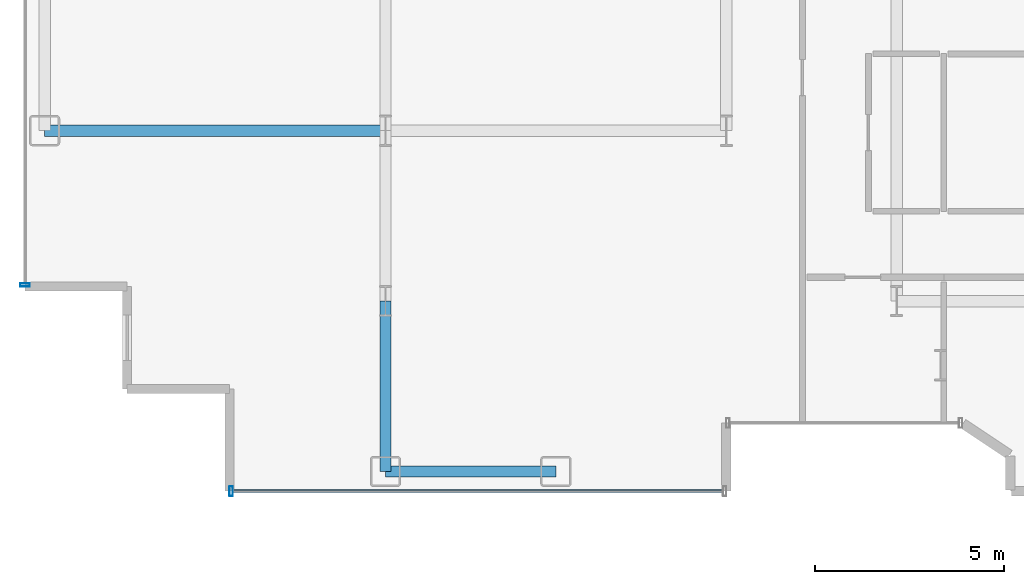
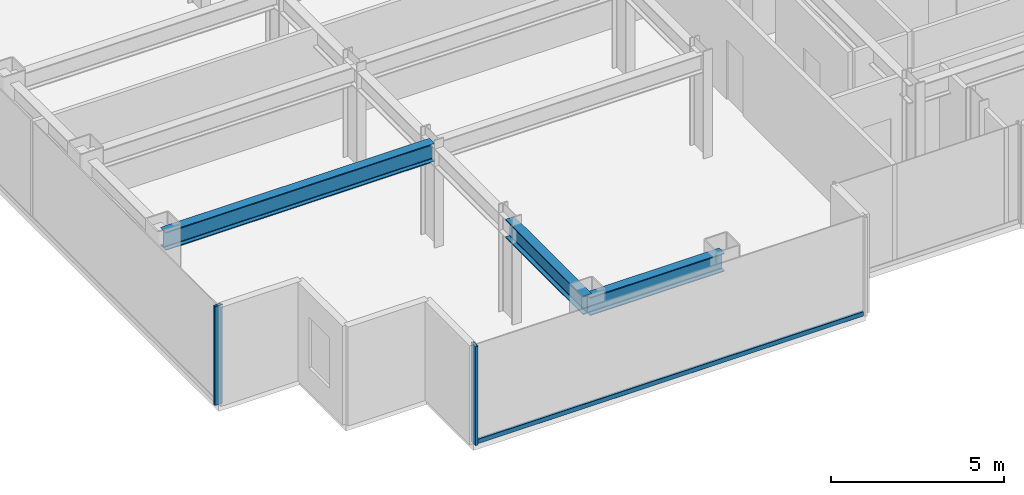
# One storey, part 3 of 23: 3 beams, 3 members, 2 elements without a shape of their own.
"""IFC4 building model written with IfcOpenShell, lengths in metres."""

from ifc_helpers import new_model, si_unit, direction, frame, origin, origin_2d, place, context, subcontext, project, spatial, hollow_rectangle, i_section, extrude, source, transform, mapped, material, layer, layer_set, material_profile, profile_set, type_object, element, aggregate, save


model = new_model("IFC4")

# Units and contexts
model_context = context("Model", 3, precision=1e-05, world=origin(), true_north=direction((0.0, 1.0)))
body_context = subcontext(model_context, "Body", "Model", "MODEL_VIEW")
ifc_project = project(units=[si_unit("LENGTHUNIT", "METRE"), si_unit("AREAUNIT", "SQUARE_METRE"), si_unit("VOLUMEUNIT", "CUBIC_METRE"), si_unit("PLANEANGLEUNIT", "RADIAN"), si_unit("MASSUNIT", "GRAM", prefix="KILO")], contexts=[model_context])

# Site, building, storey
site_placement = place(None, origin())
site = spatial("IfcSite", under=ifc_project, at=site_placement, CompositionType="ELEMENT")
building_placement = place(site_placement, origin())
building = spatial("IfcBuilding", under=site, at=building_placement, Name="Nefas-Gora Pilgrimage Tower", CompositionType="ELEMENT")
storey_placement = place(building_placement, frame((0.0, 0.0, 198.199951171875)))
storey = spatial("IfcBuildingStorey", under=building, at=storey_placement, Name="L49", CompositionType="ELEMENT", Elevation=198.199951171875)

# Beams
ifc_material_1 = material(Name="Steel S355", Category="steel")
ifc_material_profile_1 = material_profile(ifc_material_1, i_section(OverallWidth=0.300048828125, OverallDepth=0.64990234375, WebThickness=0.01611328125, FlangeThickness=0.031005859375, FilletRadius=0.027099609375, at=origin_2d()), Name="HEB 650")
ifc_profile_set_1 = profile_set([ifc_material_profile_1], Name="Steel S355")
beam_type_1 = type_object("IfcBeamType", Name="BM-SPN-HEB500", PredefinedType="SPANDREL", material=ifc_profile_set_1)
shared_shape_1 = source(origin(), body_context, "Body", "SweptSolid", [
    extrude(i_section(OverallWidth=0.300048828125, OverallDepth=0.64990234375, WebThickness=0.01611328125, FlangeThickness=0.031005859375, FilletRadius=0.027099609375, at=origin_2d()), origin(), (0.0, 0.0, 1.0), 4.5),
])
beam_1_placement = place(storey_placement, frame((-24.75, -22.5, 3.175048828125), z_axis=(1.0, 0.0, 0.0), x_axis=(0.0, 1.0, 0.0)))
element("IfcBeam", 1, at=beam_1_placement, inside=storey, type_object=beam_type_1, Name="L49 SP-02 beam", PredefinedType="SPANDREL", context=body_context, shape_type="MappedRepresentation", body=[
    mapped(shared_shape_1, transform((0.0, 0.0, 0.0), x_axis=(1.0, 0.0, 0.0), y_axis=(0.0, 1.0, 0.0), z_axis=(0.0, 0.0, 1.0), scale=1.0)),
])
ifc_material_profile_2 = material_profile(ifc_material_1, i_section(OverallWidth=0.300048828125, OverallDepth=0.64990234375, WebThickness=0.01611328125, FlangeThickness=0.031005859375, FilletRadius=0.027099609375, at=origin_2d()), Name="HEB 650")
ifc_profile_set_2 = profile_set([ifc_material_profile_2], Name="Steel S355")
beam_type_2 = type_object("IfcBeamType", Name="BM-GIR-HEB650", PredefinedType="BEAM", material=ifc_profile_set_2)
shared_shape_2 = source(origin(), body_context, "Body", "SweptSolid", [
    extrude(i_section(OverallWidth=0.300048828125, OverallDepth=0.64990234375, WebThickness=0.01611328125, FlangeThickness=0.031005859375, FilletRadius=0.027099609375, at=origin_2d()), origin(), (0.0, 0.0, 1.0), 9.0),
])
beam_2_placement = place(storey_placement, frame((-33.75, -13.5, 3.175048828125), z_axis=(1.0, 0.0, 0.0), x_axis=(0.0, 1.0, 0.0)))
element("IfcBeam", 2, at=beam_2_placement, inside=storey, type_object=beam_type_2, Name="L49 G-03 beam", PredefinedType="BEAM", context=body_context, shape_type="MappedRepresentation", body=[
    mapped(shared_shape_2, transform((0.0, 0.0, 0.0), x_axis=(1.0, 0.0, 0.0), y_axis=(0.0, 1.0, 0.0), z_axis=(0.0, 0.0, 1.0), scale=1.0)),
])
shared_shape_3 = source(origin(), body_context, "Body", "SweptSolid", [
    extrude(i_section(OverallWidth=0.300048828125, OverallDepth=0.64990234375, WebThickness=0.01611328125, FlangeThickness=0.031005859375, FilletRadius=0.027099609375, at=origin_2d()), origin(), (0.0, 0.0, 1.0), 4.5),
])
beam_3_placement = place(storey_placement, frame((-24.75, -22.5, 3.175048828125), z_axis=(0.0, 1.0, 0.0), x_axis=(-1.0, 0.0, 0.0)))
element("IfcBeam", 3, at=beam_3_placement, inside=storey, type_object=beam_type_2, Name="L49 G-03 beam", PredefinedType="BEAM", context=body_context, shape_type="MappedRepresentation", body=[
    mapped(shared_shape_3, transform((0.0, 0.0, 0.0), x_axis=(1.0, 0.0, 0.0), y_axis=(0.0, 1.0, 0.0), z_axis=(0.0, 0.0, 1.0), scale=1.0)),
])

# Curtain wall, member
ifc_material_2 = material(Name="Dark ceramic-fritted solar-control aluminium-glass curtain wall", Category="aluminium")
ifc_layer = layer(ifc_material_2, 0.219970703125)
ifc_layer_set = layer_set([ifc_layer], Name="Dark ceramic-fritted solar-control aluminium-glass curtain wall")
curtain_wall_type = type_object("IfcCurtainWallType", Name="CW-SYS-3", PredefinedType="NOTDEFINED", material=ifc_layer_set)
curtain_wall_1_placement = place(storey_placement, origin())
curtain_wall_1 = element("IfcCurtainWall", 4, at=curtain_wall_1_placement, inside=storey, type_object=curtain_wall_type, Name="L49 Unitised Curtain Wall CW3", PredefinedType="NOTDEFINED")
ifc_material_3 = material(Name="Anodised architectural aluminium", Category="aluminium")
ifc_material_profile_3 = material_profile(ifc_material_3, hollow_rectangle(XDim=0.080078125, YDim=0.159912109375, WallThickness=0.00439453125, InnerFilletRadius=0.00439453125, OuterFilletRadius=0.009033203125, at=origin_2d()), Name="ALU TRANSOM 80x160")
ifc_profile_set_3 = profile_set([ifc_material_profile_3], Name="Anodised architectural aluminium")
member_type_1 = type_object("IfcMemberType", Name="CWM-TRN-3", PredefinedType="USERDEFINED", material=ifc_profile_set_3)
shared_shape_4 = source(origin(), body_context, "Body", "SweptSolid", [
    extrude(hollow_rectangle(XDim=0.080078125, YDim=0.159912109375, WallThickness=0.00439453125, InnerFilletRadius=0.00439453125, OuterFilletRadius=0.009033203125, at=origin_2d()), origin(), (0.0, 0.0, 1.0), 12.93994140625),
])
member_1_placement = place(storey_placement, frame((-28.780029296875, -23.02001953125, 0.050048828125), z_axis=(1.0, 0.0, 0.0), x_axis=(0.0, 1.0, 0.0)))
member_1 = element("IfcMember", 5, at=member_1_placement, type_object=member_type_1, Name="CW3 Spandrel Transom", ObjectType="TRANSOM", PredefinedType="USERDEFINED", context=body_context, shape_type="MappedRepresentation", body=[
    mapped(shared_shape_4, transform((0.0, 0.0, 0.0), x_axis=(1.0, 0.0, 0.0), y_axis=(0.0, 1.0, 0.0), z_axis=(0.0, 0.0, 1.0), scale=1.0)),
])

curtain_wall_2_placement = place(storey_placement, origin())
curtain_wall_2 = element("IfcCurtainWall", 6, at=curtain_wall_2_placement, inside=storey, type_object=curtain_wall_type, Name="L49 Unitised Curtain Wall CW3", PredefinedType="NOTDEFINED")
ifc_material_profile_4 = material_profile(ifc_material_3, hollow_rectangle(XDim=0.090087890625, YDim=0.260009765625, WallThickness=0.006103515625, InnerFilletRadius=0.006103515625, OuterFilletRadius=0.011962890625, at=origin_2d()), Name="ALU MULLION 90x260")
ifc_profile_set_4 = profile_set([ifc_material_profile_4], Name="Anodised architectural aluminium")
member_type_2 = type_object("IfcMemberType", Name="CWM-MUL-3", PredefinedType="MULLION", material=ifc_profile_set_4)
shared_shape_5 = source(origin(), body_context, "Body", "SweptSolid", [
    extrude(hollow_rectangle(XDim=0.090087890625, YDim=0.260009765625, WallThickness=0.006103515625, InnerFilletRadius=0.006103515625, OuterFilletRadius=0.011962890625, at=origin_2d()), origin(), (0.0, 0.0, 1.0), 3.5),
])
member_2_placement = place(storey_placement, frame((-34.27001953125, -17.574951171875, 0.0), z_axis=(0.0, 0.0, 1.0), x_axis=(0.0, -1.0, 0.0)))
member_2 = element("IfcMember", 7, at=member_2_placement, type_object=member_type_2, Name="CW3 Mullion 2", PredefinedType="MULLION", context=body_context, shape_type="MappedRepresentation", body=[
    mapped(shared_shape_5, transform((0.0, 0.0, 0.0), x_axis=(1.0, 0.0, 0.0), y_axis=(0.0, 1.0, 0.0), z_axis=(0.0, 0.0, 1.0), scale=1.0)),
])
aggregate(curtain_wall_2, [member_2])

# Member
member_3_placement = place(storey_placement, frame((-28.824951171875, -23.02001953125, 0.0), z_axis=(0.0, 0.0, 1.0), x_axis=(1.0, 0.0, 0.0)))
member_3 = element("IfcMember", 8, at=member_3_placement, type_object=member_type_2, Name="CW3 Mullion 1", PredefinedType="MULLION", context=body_context, shape_type="MappedRepresentation", body=[
    mapped(shared_shape_5, transform((0.0, 0.0, 0.0), x_axis=(1.0, 0.0, 0.0), y_axis=(0.0, 1.0, 0.0), z_axis=(0.0, 0.0, 1.0), scale=1.0)),
])

aggregate(curtain_wall_1, [member_3, member_1])

save(model, "model.ifc")
